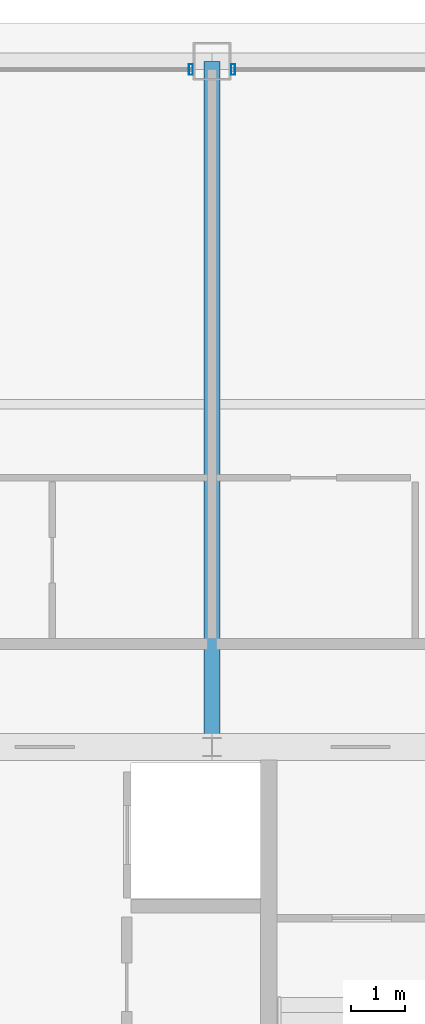
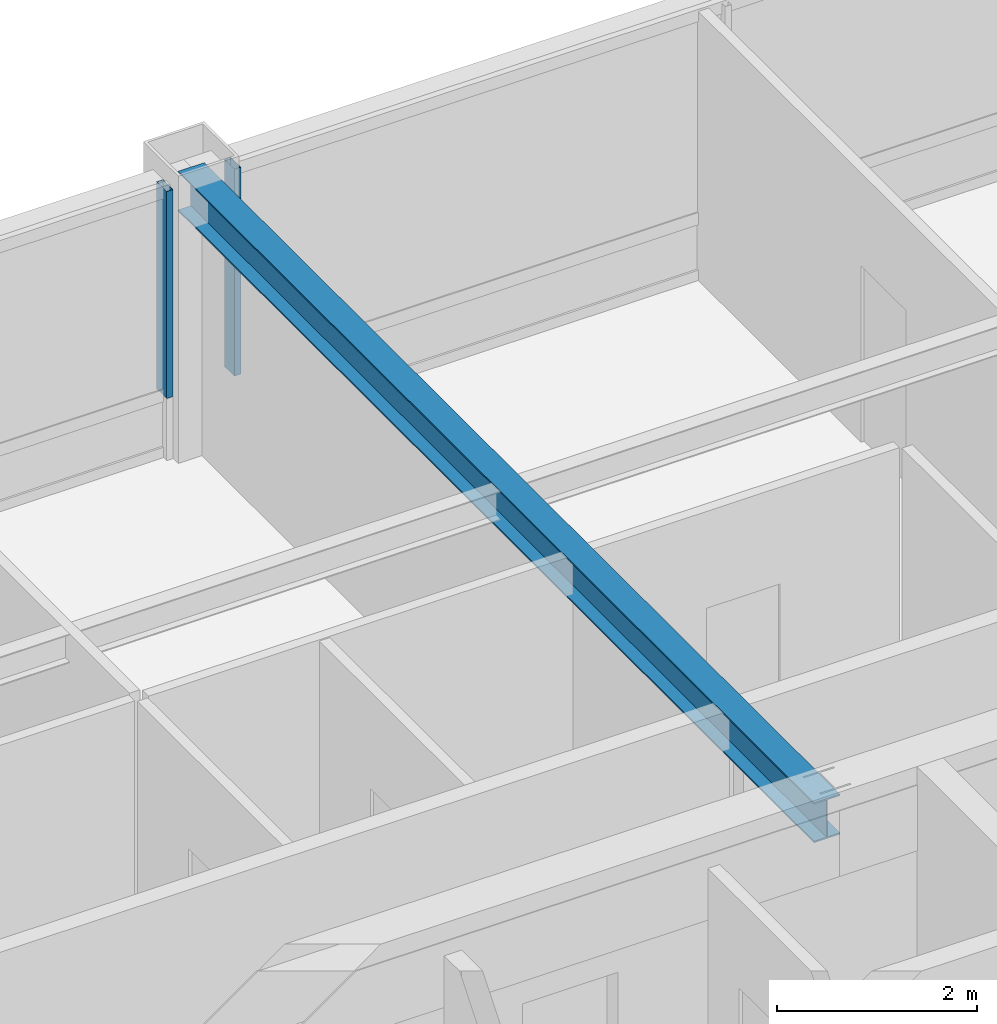
# One storey, part 18 of 35: 2 members, 1 beam, 2 elements without a shape of their own.
"""IFC4 building model written with IfcOpenShell, lengths in metres."""

from ifc_helpers import new_model, si_unit, direction, frame, origin, origin_2d, place, context, subcontext, project, spatial, hollow_rectangle, i_section, extrude, source, transform, mapped, material, layer, layer_set, material_profile, profile_set, type_object, element, aggregate, save


model = new_model("IFC4")

# Units and contexts
model_context = context("Model", 3, precision=1e-05, world=origin(), true_north=direction((0.0, 1.0)))
body_context = subcontext(model_context, "Body", "Model", "MODEL_VIEW")
ifc_project = project(units=[si_unit("LENGTHUNIT", "METRE"), si_unit("AREAUNIT", "SQUARE_METRE"), si_unit("VOLUMEUNIT", "CUBIC_METRE"), si_unit("PLANEANGLEUNIT", "RADIAN"), si_unit("MASSUNIT", "GRAM", prefix="KILO"), si_unit("THERMODYNAMICTEMPERATUREUNIT", "KELVIN"), si_unit("POWERUNIT", "WATT")], contexts=[model_context])

# Site, building, storey
site_placement = place(None, origin())
site = spatial("IfcSite", under=ifc_project, at=site_placement, CompositionType="ELEMENT")
building_placement = place(site_placement, origin())
building = spatial("IfcBuilding", under=site, at=building_placement, Name="Yuzanri Waterfront Tower", CompositionType="ELEMENT")
storey_placement = place(building_placement, frame((0.0, 0.0, 318.199951171875)))
storey = spatial("IfcBuildingStorey", under=building, at=storey_placement, Name="L85", CompositionType="ELEMENT", Elevation=318.199951171875)

# Beam
ifc_material_1 = material(Name="Steel Q355B", Category="steel")
ifc_material_profile_1 = material_profile(ifc_material_1, i_section(OverallWidth=0.300048828125, OverallDepth=0.488037109375, WebThickness=0.010986328125, FlangeThickness=0.01806640625, at=origin_2d()), Name="HM 488x300x11x18")
ifc_profile_set_1 = profile_set([ifc_material_profile_1], Name="Steel Q355B")
beam_type = type_object("IfcBeamType", Name="Primary Floor Girder Q355B HM 488x300", PredefinedType="BEAM", material=ifc_profile_set_1)
shared_shape_1 = source(origin(), body_context, "Body", "SweptSolid", [
    extrude(i_section(OverallWidth=0.300048828125, OverallDepth=0.488037109375, WebThickness=0.010986328125, FlangeThickness=0.01806640625, at=origin_2d()), origin(), (0.0, 0.0, 1.0), 12.699951171875),
])
beam_placement = place(storey_placement, frame((37.0, 32.199951171875, 3.0361328125), z_axis=(0.0, 1.0, 0.0), x_axis=(-1.0, 0.0, 0.0)))
element("IfcBeam", 1, at=beam_placement, inside=storey, type_object=beam_type, Name="L85 North Grid Girder", PredefinedType="BEAM", context=body_context, shape_type="MappedRepresentation", body=[
    mapped(shared_shape_1, transform((0.0, 0.0, 0.0), scale=1.0)),
])

# Curtain wall, member
ifc_material_2 = material(Name="Anodized Architectural Bronze", Category="metal")
ifc_layer = layer(ifc_material_2, 0.159912109375)
ifc_layer_set = layer_set([ifc_layer], Name="Anodized Architectural Bronze")
curtain_wall_type = type_object("IfcCurtainWallType", Name="Anodized Bronze High-Rise Penthouse High-Wind Unitized Curtain Wall 6900", PredefinedType="NOTDEFINED", material=ifc_layer_set)
curtain_wall_1_placement = place(storey_placement, origin())
curtain_wall_1 = element("IfcCurtainWall", 2, at=curtain_wall_1_placement, inside=storey, type_object=curtain_wall_type, Name="L85 Curtain Wall CW-L85-NL", PredefinedType="NOTDEFINED")
ifc_material_3 = material(Name="Anodized Architectural Bronze", Category="metal")
ifc_material_profile_2 = material_profile(ifc_material_3, hollow_rectangle(XDim=0.074951171875, YDim=0.199951171875, WallThickness=0.00390625, at=origin_2d()), Name="CWM 75x200")
ifc_profile_set_2 = profile_set([ifc_material_profile_2], Name="Anodized Architectural Bronze")
member_type = type_object("IfcMemberType", Name="Anodized Bronze Primary Curtain-Wall Mullion 75x200", PredefinedType="MULLION", material=ifc_profile_set_2)
shared_shape_2 = source(origin(), body_context, "Body", "SweptSolid", [
    extrude(hollow_rectangle(XDim=0.074951171875, YDim=0.199951171875, WallThickness=0.00390625, at=origin_2d()), origin(), (0.0, 0.0, 1.0), 2.52392578125),
])
member_1_placement = place(storey_placement, frame((36.610107421875, 44.75, 0.756103515625), z_axis=(0.0, 0.0, 1.0), x_axis=(1.0, 0.0, 0.0)))
member_1 = element("IfcMember", 3, at=member_1_placement, type_object=member_type, Name="CW-L85-NL Upper Mullion 02", PredefinedType="MULLION", context=body_context, shape_type="MappedRepresentation", body=[
    mapped(shared_shape_2, transform((0.0, 0.0, 0.0), scale=1.0)),
])
aggregate(curtain_wall_1, [member_1])

curtain_wall_2_placement = place(storey_placement, origin())
curtain_wall_2 = element("IfcCurtainWall", 4, at=curtain_wall_2_placement, inside=storey, type_object=curtain_wall_type, Name="L85 Curtain Wall CW-L85-NR", PredefinedType="NOTDEFINED")
member_2_placement = place(storey_placement, frame((37.389892578125, 44.75, 0.756103515625), z_axis=(0.0, 0.0, 1.0), x_axis=(1.0, 0.0, 0.0)))
member_2 = element("IfcMember", 5, at=member_2_placement, type_object=member_type, Name="CW-L85-NR Upper Mullion 00", PredefinedType="MULLION", context=body_context, shape_type="MappedRepresentation", body=[
    mapped(shared_shape_2, transform((0.0, 0.0, 0.0), scale=1.0)),
])
aggregate(curtain_wall_2, [member_2])

save(model, "model.ifc")
